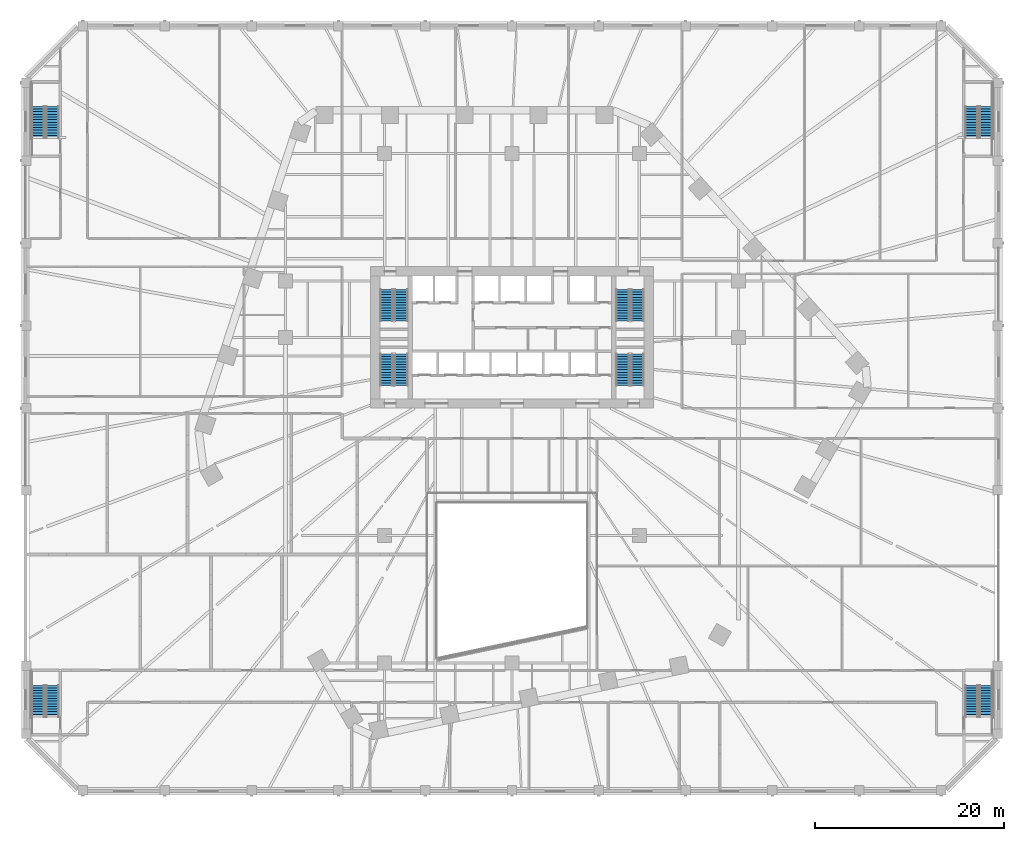
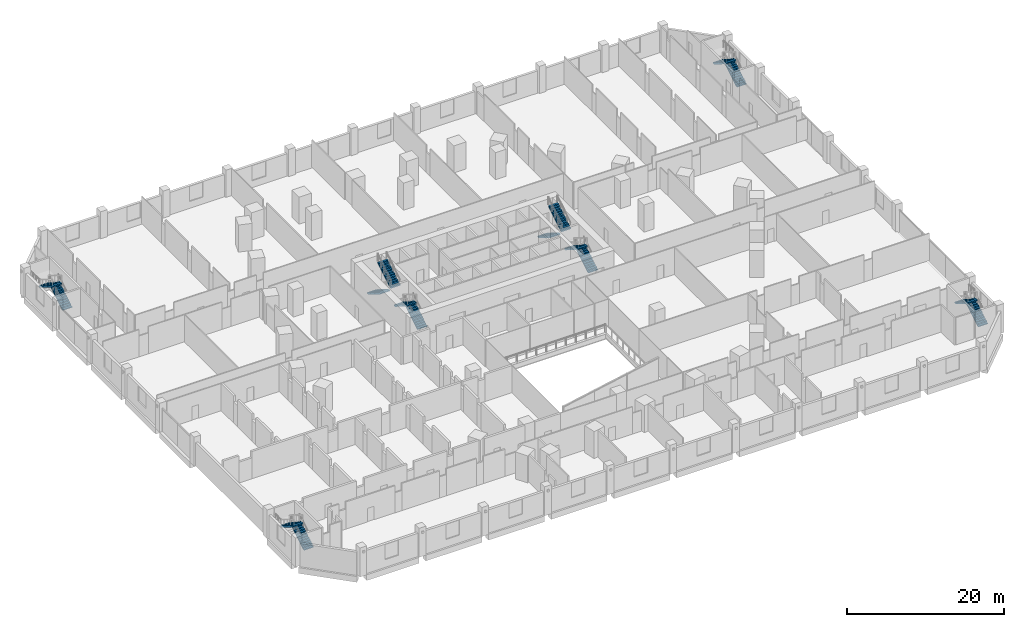
# One storey, part 23 of 33: 16 stair flights, 8 elements without a shape of their own.
"""IFC4 building model written with IfcOpenShell, lengths in metres."""

from ifc_helpers import new_model, si_unit, direction, frame, origin, place, context, subcontext, project, spatial, polyline, outline, extrude, material, type_object, element, aggregate, save


model = new_model("IFC4")

# Units and contexts
model_context = context("Model", 3, precision=1e-05, world=origin(), true_north=direction((0.0, 1.0)))
body_context = subcontext(model_context, "Body", "Model", "MODEL_VIEW")
ifc_project = project(units=[si_unit("LENGTHUNIT", "METRE"), si_unit("AREAUNIT", "SQUARE_METRE"), si_unit("VOLUMEUNIT", "CUBIC_METRE"), si_unit("PLANEANGLEUNIT", "RADIAN"), si_unit("MASSUNIT", "GRAM", prefix="KILO")], contexts=[model_context])

# Site, building, storey
site_placement = place(None, origin())
site = spatial("IfcSite", under=ifc_project, at=site_placement, CompositionType="ELEMENT")
building_placement = place(site_placement, origin())
building = spatial("IfcBuilding", under=site, at=building_placement, Name="Isthmus Gate Tower", CompositionType="ELEMENT")
storey_placement = place(building_placement, frame((0.0, 0.0, 22.5)))
storey = spatial("IfcBuildingStorey", under=building, at=storey_placement, Name="L03", CompositionType="ELEMENT", Elevation=22.5)

# Stair, stair flights
ifc_material_1 = material(Name="Concrete f'c 40 MPa", Category="concrete")
stair_type_1 = type_object("IfcStairType", Name="Podium exit stair 1400 wide flights", PredefinedType="HALF_TURN_STAIR", material=ifc_material_1)
stair_1_placement = place(storey_placement, origin())
stair_1 = element("IfcStair", 1, at=stair_1_placement, inside=storey, type_object=stair_type_1, Name="L03 Podium Exit Stair ST3", PredefinedType="HALF_TURN_STAIR")
ifc_material_2 = material(Name="Concrete f'c 40 MPa", Category="concrete")
stair_flight_type_1 = type_object("IfcStairFlightType", Name="Podium stair flight 1400", PredefinedType="STRAIGHT", material=ifc_material_2)
stair_flight_1_placement = place(storey_placement, frame((-48.699951171875, -32.72509765625, 0.0), z_axis=(0.0, 0.0, 1.0), x_axis=(0.0, 1.0, 0.0)))
stair_flight_1 = element("IfcStairFlight", 2, at=stair_flight_1_placement, type_object=stair_flight_type_1, Name="ST3 flight 1", NumberOfRisers=13, NumberOfTreads=12, PredefinedType="STRAIGHT", RiserHeight=0.173076923, TreadLength=0.28, context=body_context, shape_type="SweptSolid", body=[
    extrude(outline(polyline([(0.0, 0.0), (0.0, 0.173095703125), (0.280029296875, 0.173095703125), (0.280029296875, 0.34619140625), (0.56005859375, 0.34619140625), (0.56005859375, 0.519287109375), (0.840087890625, 0.519287109375), (0.840087890625, 0.6923828125), (1.1201171875, 0.6923828125), (1.1201171875, 0.865478515625), (1.39990234375, 0.865478515625), (1.39990234375, 1.03857421875), (1.679931640625, 1.03857421875), (1.679931640625, 1.21142578125), (1.9599609375, 1.21142578125), (1.9599609375, 1.384521484375), (2.239990234375, 1.384521484375), (2.239990234375, 1.5576171875), (2.52001953125, 1.5576171875), (2.52001953125, 1.730712890625), (2.800048828125, 1.730712890625), (2.800048828125, 1.90380859375), (3.080078125, 1.90380859375), (3.080078125, 2.076904296875), (3.360107421875, 2.076904296875), (3.360107421875, 2.25), (3.360107421875, 1.900634765625), (0.28515625, 0.0), (0.0, 0.0)])), frame((0.0, 0.699951171875, 0.0), z_axis=(0.0, -1.0, 0.0), x_axis=(1.0, 0.0, 0.0)), (0.0, 0.0, 1.0), 1.39990234375),
])
stair_flight_2_placement = place(storey_placement, frame((-50.25, -29.364990234375, 2.25), z_axis=(0.0, 0.0, 1.0), x_axis=(0.0, -1.0, 0.0)))
stair_flight_2 = element("IfcStairFlight", 3, at=stair_flight_2_placement, type_object=stair_flight_type_1, Name="ST3 flight 2", NumberOfRisers=13, NumberOfTreads=12, PredefinedType="STRAIGHT", RiserHeight=0.173076923, TreadLength=0.28, context=body_context, shape_type="SweptSolid", body=[
    extrude(outline(polyline([(0.0, 0.0), (0.0, 0.173095703125), (0.280029296875, 0.173095703125), (0.280029296875, 0.34619140625), (0.56005859375, 0.34619140625), (0.56005859375, 0.519287109375), (0.840087890625, 0.519287109375), (0.840087890625, 0.6923828125), (1.1201171875, 0.6923828125), (1.1201171875, 0.865478515625), (1.39990234375, 0.865478515625), (1.39990234375, 1.03857421875), (1.679931640625, 1.03857421875), (1.679931640625, 1.21142578125), (1.9599609375, 1.21142578125), (1.9599609375, 1.384521484375), (2.239990234375, 1.384521484375), (2.239990234375, 1.5576171875), (2.52001953125, 1.5576171875), (2.52001953125, 1.730712890625), (2.800048828125, 1.730712890625), (2.800048828125, 1.90380859375), (3.080078125, 1.90380859375), (3.080078125, 2.076904296875), (3.360107421875, 2.076904296875), (3.360107421875, 2.25), (3.360107421875, 1.900634765625), (0.28515625, 0.0), (0.0, 0.0)])), frame((0.0, 0.699951171875, 0.0), z_axis=(0.0, -1.0, 0.0), x_axis=(1.0, 0.0, 0.0)), (0.0, 0.0, 1.0), 1.39990234375),
])
aggregate(stair_1, [stair_flight_1, stair_flight_2])

stair_2_placement = place(storey_placement, origin())
stair_2 = element("IfcStair", 4, at=stair_2_placement, inside=storey, type_object=stair_type_1, Name="L03 Podium Exit Stair ST4", PredefinedType="HALF_TURN_STAIR")
stair_flight_3_placement = place(storey_placement, frame((50.25, -32.72509765625, 0.0), z_axis=(0.0, 0.0, 1.0), x_axis=(0.0, 1.0, 0.0)))
stair_flight_3 = element("IfcStairFlight", 5, at=stair_flight_3_placement, type_object=stair_flight_type_1, Name="ST4 flight 1", NumberOfRisers=13, NumberOfTreads=12, PredefinedType="STRAIGHT", RiserHeight=0.173076923, TreadLength=0.28, context=body_context, shape_type="SweptSolid", body=[
    extrude(outline(polyline([(0.0, 0.0), (0.0, 0.173095703125), (0.280029296875, 0.173095703125), (0.280029296875, 0.34619140625), (0.56005859375, 0.34619140625), (0.56005859375, 0.519287109375), (0.840087890625, 0.519287109375), (0.840087890625, 0.6923828125), (1.1201171875, 0.6923828125), (1.1201171875, 0.865478515625), (1.39990234375, 0.865478515625), (1.39990234375, 1.03857421875), (1.679931640625, 1.03857421875), (1.679931640625, 1.21142578125), (1.9599609375, 1.21142578125), (1.9599609375, 1.384521484375), (2.239990234375, 1.384521484375), (2.239990234375, 1.5576171875), (2.52001953125, 1.5576171875), (2.52001953125, 1.730712890625), (2.800048828125, 1.730712890625), (2.800048828125, 1.90380859375), (3.080078125, 1.90380859375), (3.080078125, 2.076904296875), (3.360107421875, 2.076904296875), (3.360107421875, 2.25), (3.360107421875, 1.900634765625), (0.28515625, 0.0), (0.0, 0.0)])), frame((0.0, 0.699951171875, 0.0), z_axis=(0.0, -1.0, 0.0), x_axis=(1.0, 0.0, 0.0)), (0.0, 0.0, 1.0), 1.39990234375),
])
stair_flight_4_placement = place(storey_placement, frame((48.699951171875, -29.364990234375, 2.25), z_axis=(0.0, 0.0, 1.0), x_axis=(0.0, -1.0, 0.0)))
stair_flight_4 = element("IfcStairFlight", 6, at=stair_flight_4_placement, type_object=stair_flight_type_1, Name="ST4 flight 2", NumberOfRisers=13, NumberOfTreads=12, PredefinedType="STRAIGHT", RiserHeight=0.173076923, TreadLength=0.28, context=body_context, shape_type="SweptSolid", body=[
    extrude(outline(polyline([(0.0, 0.0), (0.0, 0.173095703125), (0.280029296875, 0.173095703125), (0.280029296875, 0.34619140625), (0.56005859375, 0.34619140625), (0.56005859375, 0.519287109375), (0.840087890625, 0.519287109375), (0.840087890625, 0.6923828125), (1.1201171875, 0.6923828125), (1.1201171875, 0.865478515625), (1.39990234375, 0.865478515625), (1.39990234375, 1.03857421875), (1.679931640625, 1.03857421875), (1.679931640625, 1.21142578125), (1.9599609375, 1.21142578125), (1.9599609375, 1.384521484375), (2.239990234375, 1.384521484375), (2.239990234375, 1.5576171875), (2.52001953125, 1.5576171875), (2.52001953125, 1.730712890625), (2.800048828125, 1.730712890625), (2.800048828125, 1.90380859375), (3.080078125, 1.90380859375), (3.080078125, 2.076904296875), (3.360107421875, 2.076904296875), (3.360107421875, 2.25), (3.360107421875, 1.900634765625), (0.28515625, 0.0), (0.0, 0.0)])), frame((0.0, 0.699951171875, 0.0), z_axis=(0.0, -1.0, 0.0), x_axis=(1.0, 0.0, 0.0)), (0.0, 0.0, 1.0), 1.39990234375),
])
aggregate(stair_2, [stair_flight_3, stair_flight_4])

stair_3_placement = place(storey_placement, origin())
stair_3 = element("IfcStair", 7, at=stair_3_placement, inside=storey, type_object=stair_type_1, Name="L03 Podium Exit Stair ST5", PredefinedType="HALF_TURN_STAIR")
stair_flight_5_placement = place(storey_placement, frame((50.25, 28.625, 0.0), z_axis=(0.0, 0.0, 1.0), x_axis=(0.0, 1.0, 0.0)))
stair_flight_5 = element("IfcStairFlight", 8, at=stair_flight_5_placement, type_object=stair_flight_type_1, Name="ST5 flight 1", NumberOfRisers=13, NumberOfTreads=12, PredefinedType="STRAIGHT", RiserHeight=0.173076923, TreadLength=0.28, context=body_context, shape_type="SweptSolid", body=[
    extrude(outline(polyline([(0.0, 0.0), (0.0, 0.173095703125), (0.280029296875, 0.173095703125), (0.280029296875, 0.34619140625), (0.56005859375, 0.34619140625), (0.56005859375, 0.519287109375), (0.840087890625, 0.519287109375), (0.840087890625, 0.6923828125), (1.1201171875, 0.6923828125), (1.1201171875, 0.865478515625), (1.39990234375, 0.865478515625), (1.39990234375, 1.03857421875), (1.679931640625, 1.03857421875), (1.679931640625, 1.21142578125), (1.9599609375, 1.21142578125), (1.9599609375, 1.384521484375), (2.239990234375, 1.384521484375), (2.239990234375, 1.5576171875), (2.52001953125, 1.5576171875), (2.52001953125, 1.730712890625), (2.800048828125, 1.730712890625), (2.800048828125, 1.90380859375), (3.080078125, 1.90380859375), (3.080078125, 2.076904296875), (3.360107421875, 2.076904296875), (3.360107421875, 2.25), (3.360107421875, 1.900634765625), (0.28515625, 0.0), (0.0, 0.0)])), frame((0.0, 0.699951171875, 0.0), z_axis=(0.0, -1.0, 0.0), x_axis=(1.0, 0.0, 0.0)), (0.0, 0.0, 1.0), 1.39990234375),
])
stair_flight_6_placement = place(storey_placement, frame((48.699951171875, 31.985107421875, 2.25), z_axis=(0.0, 0.0, 1.0), x_axis=(0.0, -1.0, 0.0)))
stair_flight_6 = element("IfcStairFlight", 9, at=stair_flight_6_placement, type_object=stair_flight_type_1, Name="ST5 flight 2", NumberOfRisers=13, NumberOfTreads=12, PredefinedType="STRAIGHT", RiserHeight=0.173076923, TreadLength=0.28, context=body_context, shape_type="SweptSolid", body=[
    extrude(outline(polyline([(0.0, 0.0), (0.0, 0.173095703125), (0.280029296875, 0.173095703125), (0.280029296875, 0.34619140625), (0.56005859375, 0.34619140625), (0.56005859375, 0.519287109375), (0.840087890625, 0.519287109375), (0.840087890625, 0.6923828125), (1.1201171875, 0.6923828125), (1.1201171875, 0.865478515625), (1.39990234375, 0.865478515625), (1.39990234375, 1.03857421875), (1.679931640625, 1.03857421875), (1.679931640625, 1.21142578125), (1.9599609375, 1.21142578125), (1.9599609375, 1.384521484375), (2.239990234375, 1.384521484375), (2.239990234375, 1.5576171875), (2.52001953125, 1.5576171875), (2.52001953125, 1.730712890625), (2.800048828125, 1.730712890625), (2.800048828125, 1.90380859375), (3.080078125, 1.90380859375), (3.080078125, 2.076904296875), (3.360107421875, 2.076904296875), (3.360107421875, 2.25), (3.360107421875, 1.900634765625), (0.28515625, 0.0), (0.0, 0.0)])), frame((0.0, 0.699951171875, 0.0), z_axis=(0.0, -1.0, 0.0), x_axis=(1.0, 0.0, 0.0)), (0.0, 0.0, 1.0), 1.39990234375),
])
aggregate(stair_3, [stair_flight_5, stair_flight_6])

stair_4_placement = place(storey_placement, origin())
stair_4 = element("IfcStair", 10, at=stair_4_placement, inside=storey, type_object=stair_type_1, Name="L03 Podium Exit Stair ST6", PredefinedType="HALF_TURN_STAIR")
stair_flight_7_placement = place(storey_placement, frame((-48.699951171875, 28.625, 0.0), z_axis=(0.0, 0.0, 1.0), x_axis=(0.0, 1.0, 0.0)))
stair_flight_7 = element("IfcStairFlight", 11, at=stair_flight_7_placement, type_object=stair_flight_type_1, Name="ST6 flight 1", NumberOfRisers=13, NumberOfTreads=12, PredefinedType="STRAIGHT", RiserHeight=0.173076923, TreadLength=0.28, context=body_context, shape_type="SweptSolid", body=[
    extrude(outline(polyline([(0.0, 0.0), (0.0, 0.173095703125), (0.280029296875, 0.173095703125), (0.280029296875, 0.34619140625), (0.56005859375, 0.34619140625), (0.56005859375, 0.519287109375), (0.840087890625, 0.519287109375), (0.840087890625, 0.6923828125), (1.1201171875, 0.6923828125), (1.1201171875, 0.865478515625), (1.39990234375, 0.865478515625), (1.39990234375, 1.03857421875), (1.679931640625, 1.03857421875), (1.679931640625, 1.21142578125), (1.9599609375, 1.21142578125), (1.9599609375, 1.384521484375), (2.239990234375, 1.384521484375), (2.239990234375, 1.5576171875), (2.52001953125, 1.5576171875), (2.52001953125, 1.730712890625), (2.800048828125, 1.730712890625), (2.800048828125, 1.90380859375), (3.080078125, 1.90380859375), (3.080078125, 2.076904296875), (3.360107421875, 2.076904296875), (3.360107421875, 2.25), (3.360107421875, 1.900634765625), (0.28515625, 0.0), (0.0, 0.0)])), frame((0.0, 0.699951171875, 0.0), z_axis=(0.0, -1.0, 0.0), x_axis=(1.0, 0.0, 0.0)), (0.0, 0.0, 1.0), 1.39990234375),
])
stair_flight_8_placement = place(storey_placement, frame((-50.25, 31.985107421875, 2.25), z_axis=(0.0, 0.0, 1.0), x_axis=(0.0, -1.0, 0.0)))
stair_flight_8 = element("IfcStairFlight", 12, at=stair_flight_8_placement, type_object=stair_flight_type_1, Name="ST6 flight 2", NumberOfRisers=13, NumberOfTreads=12, PredefinedType="STRAIGHT", RiserHeight=0.173076923, TreadLength=0.28, context=body_context, shape_type="SweptSolid", body=[
    extrude(outline(polyline([(0.0, 0.0), (0.0, 0.173095703125), (0.280029296875, 0.173095703125), (0.280029296875, 0.34619140625), (0.56005859375, 0.34619140625), (0.56005859375, 0.519287109375), (0.840087890625, 0.519287109375), (0.840087890625, 0.6923828125), (1.1201171875, 0.6923828125), (1.1201171875, 0.865478515625), (1.39990234375, 0.865478515625), (1.39990234375, 1.03857421875), (1.679931640625, 1.03857421875), (1.679931640625, 1.21142578125), (1.9599609375, 1.21142578125), (1.9599609375, 1.384521484375), (2.239990234375, 1.384521484375), (2.239990234375, 1.5576171875), (2.52001953125, 1.5576171875), (2.52001953125, 1.730712890625), (2.800048828125, 1.730712890625), (2.800048828125, 1.90380859375), (3.080078125, 1.90380859375), (3.080078125, 2.076904296875), (3.360107421875, 2.076904296875), (3.360107421875, 2.25), (3.360107421875, 1.900634765625), (0.28515625, 0.0), (0.0, 0.0)])), frame((0.0, 0.699951171875, 0.0), z_axis=(0.0, -1.0, 0.0), x_axis=(1.0, 0.0, 0.0)), (0.0, 0.0, 1.0), 1.39990234375),
])
aggregate(stair_4, [stair_flight_7, stair_flight_8])

ifc_material_3 = material(Name="Concrete f'c 40 MPa", Category="concrete")
stair_type_2 = type_object("IfcStairType", Name="CORE STAIR 26 RISERS", PredefinedType="HALF_TURN_STAIR", material=ifc_material_3)
stair_5_placement = place(storey_placement, origin())
stair_5 = element("IfcStair", 13, at=stair_5_placement, inside=storey, type_object=stair_type_2, Name="L03 Exit Stair 1", PredefinedType="HALF_TURN_STAIR")
ifc_material_4 = material(Name="Concrete f'c 40 MPa", Category="concrete")
stair_flight_type_2 = type_object("IfcStairFlightType", Name="STAIR FLIGHT RC 1400", PredefinedType="STRAIGHT", material=ifc_material_4)
stair_flight_9_placement = place(storey_placement, frame((-13.300048828125, 12.60009765625, 0.0), z_axis=(0.0, 0.0, 1.0), x_axis=(0.0, -1.0, 0.0)))
stair_flight_9 = element("IfcStairFlight", 14, at=stair_flight_9_placement, type_object=stair_flight_type_2, Name="ST1 flight 1", NumberOfRisers=13, NumberOfTreads=12, PredefinedType="STRAIGHT", RiserHeight=0.173076923, TreadLength=0.28, context=body_context, shape_type="SweptSolid", body=[
    extrude(outline(polyline([(0.0, 0.0), (0.0, 0.173095703125), (0.280029296875, 0.173095703125), (0.280029296875, 0.34619140625), (0.56005859375, 0.34619140625), (0.56005859375, 0.519287109375), (0.840087890625, 0.519287109375), (0.840087890625, 0.6923828125), (1.1201171875, 0.6923828125), (1.1201171875, 0.865478515625), (1.39990234375, 0.865478515625), (1.39990234375, 1.03857421875), (1.679931640625, 1.03857421875), (1.679931640625, 1.21142578125), (1.9599609375, 1.21142578125), (1.9599609375, 1.384521484375), (2.239990234375, 1.384521484375), (2.239990234375, 1.5576171875), (2.52001953125, 1.5576171875), (2.52001953125, 1.730712890625), (2.800048828125, 1.730712890625), (2.800048828125, 1.90380859375), (3.080078125, 1.90380859375), (3.080078125, 2.076904296875), (3.360107421875, 2.076904296875), (3.360107421875, 2.25), (3.360107421875, 1.900634765625), (0.28515625, 0.0), (0.0, 0.0)])), frame((0.0, 0.699951171875, 0.0), z_axis=(0.0, -1.0, 0.0), x_axis=(1.0, 0.0, 0.0)), (0.0, 0.0, 1.0), 1.39990234375),
])
stair_flight_10_placement = place(storey_placement, frame((-11.75, 9.239990234375, 2.25), z_axis=(0.0, 0.0, 1.0), x_axis=(0.0, 1.0, 0.0)))
stair_flight_10 = element("IfcStairFlight", 15, at=stair_flight_10_placement, type_object=stair_flight_type_2, Name="ST1 flight 2", NumberOfRisers=13, NumberOfTreads=12, PredefinedType="STRAIGHT", RiserHeight=0.173076923, TreadLength=0.28, context=body_context, shape_type="SweptSolid", body=[
    extrude(outline(polyline([(0.0, 0.0), (0.0, 0.173095703125), (0.280029296875, 0.173095703125), (0.280029296875, 0.34619140625), (0.56005859375, 0.34619140625), (0.56005859375, 0.519287109375), (0.840087890625, 0.519287109375), (0.840087890625, 0.6923828125), (1.1201171875, 0.6923828125), (1.1201171875, 0.865478515625), (1.39990234375, 0.865478515625), (1.39990234375, 1.03857421875), (1.679931640625, 1.03857421875), (1.679931640625, 1.21142578125), (1.9599609375, 1.21142578125), (1.9599609375, 1.384521484375), (2.239990234375, 1.384521484375), (2.239990234375, 1.5576171875), (2.52001953125, 1.5576171875), (2.52001953125, 1.730712890625), (2.800048828125, 1.730712890625), (2.800048828125, 1.90380859375), (3.080078125, 1.90380859375), (3.080078125, 2.076904296875), (3.360107421875, 2.076904296875), (3.360107421875, 2.25), (3.360107421875, 1.900634765625), (0.28515625, 0.0), (0.0, 0.0)])), frame((0.0, 0.699951171875, 0.0), z_axis=(0.0, -1.0, 0.0), x_axis=(1.0, 0.0, 0.0)), (0.0, 0.0, 1.0), 1.39990234375),
])
aggregate(stair_5, [stair_flight_9, stair_flight_10])

stair_6_placement = place(storey_placement, origin())
stair_6 = element("IfcStair", 16, at=stair_6_placement, inside=storey, type_object=stair_type_2, Name="L03 Exit Stair 2", PredefinedType="HALF_TURN_STAIR")
stair_flight_11_placement = place(storey_placement, frame((11.75, 12.60009765625, 0.0), z_axis=(0.0, 0.0, 1.0), x_axis=(0.0, -1.0, 0.0)))
stair_flight_11 = element("IfcStairFlight", 17, at=stair_flight_11_placement, type_object=stair_flight_type_2, Name="ST2 flight 1", NumberOfRisers=13, NumberOfTreads=12, PredefinedType="STRAIGHT", RiserHeight=0.173076923, TreadLength=0.28, context=body_context, shape_type="SweptSolid", body=[
    extrude(outline(polyline([(0.0, 0.0), (0.0, 0.173095703125), (0.280029296875, 0.173095703125), (0.280029296875, 0.34619140625), (0.56005859375, 0.34619140625), (0.56005859375, 0.519287109375), (0.840087890625, 0.519287109375), (0.840087890625, 0.6923828125), (1.1201171875, 0.6923828125), (1.1201171875, 0.865478515625), (1.39990234375, 0.865478515625), (1.39990234375, 1.03857421875), (1.679931640625, 1.03857421875), (1.679931640625, 1.21142578125), (1.9599609375, 1.21142578125), (1.9599609375, 1.384521484375), (2.239990234375, 1.384521484375), (2.239990234375, 1.5576171875), (2.52001953125, 1.5576171875), (2.52001953125, 1.730712890625), (2.800048828125, 1.730712890625), (2.800048828125, 1.90380859375), (3.080078125, 1.90380859375), (3.080078125, 2.076904296875), (3.360107421875, 2.076904296875), (3.360107421875, 2.25), (3.360107421875, 1.900634765625), (0.28515625, 0.0), (0.0, 0.0)])), frame((0.0, 0.699951171875, 0.0), z_axis=(0.0, -1.0, 0.0), x_axis=(1.0, 0.0, 0.0)), (0.0, 0.0, 1.0), 1.39990234375),
])
stair_flight_12_placement = place(storey_placement, frame((13.300048828125, 9.239990234375, 2.25), z_axis=(0.0, 0.0, 1.0), x_axis=(0.0, 1.0, 0.0)))
stair_flight_12 = element("IfcStairFlight", 18, at=stair_flight_12_placement, type_object=stair_flight_type_2, Name="ST2 flight 2", NumberOfRisers=13, NumberOfTreads=12, PredefinedType="STRAIGHT", RiserHeight=0.173076923, TreadLength=0.28, context=body_context, shape_type="SweptSolid", body=[
    extrude(outline(polyline([(0.0, 0.0), (0.0, 0.173095703125), (0.280029296875, 0.173095703125), (0.280029296875, 0.34619140625), (0.56005859375, 0.34619140625), (0.56005859375, 0.519287109375), (0.840087890625, 0.519287109375), (0.840087890625, 0.6923828125), (1.1201171875, 0.6923828125), (1.1201171875, 0.865478515625), (1.39990234375, 0.865478515625), (1.39990234375, 1.03857421875), (1.679931640625, 1.03857421875), (1.679931640625, 1.21142578125), (1.9599609375, 1.21142578125), (1.9599609375, 1.384521484375), (2.239990234375, 1.384521484375), (2.239990234375, 1.5576171875), (2.52001953125, 1.5576171875), (2.52001953125, 1.730712890625), (2.800048828125, 1.730712890625), (2.800048828125, 1.90380859375), (3.080078125, 1.90380859375), (3.080078125, 2.076904296875), (3.360107421875, 2.076904296875), (3.360107421875, 2.25), (3.360107421875, 1.900634765625), (0.28515625, 0.0), (0.0, 0.0)])), frame((0.0, 0.699951171875, 0.0), z_axis=(0.0, -1.0, 0.0), x_axis=(1.0, 0.0, 0.0)), (0.0, 0.0, 1.0), 1.39990234375),
])
aggregate(stair_6, [stair_flight_11, stair_flight_12])

stair_7_placement = place(storey_placement, origin())
stair_7 = element("IfcStair", 19, at=stair_7_placement, inside=storey, type_object=stair_type_2, Name="L03 Exit Stair 7", PredefinedType="HALF_TURN_STAIR")
stair_flight_13_placement = place(storey_placement, frame((-11.75, 2.39990234375, 0.0), z_axis=(0.0, 0.0, 1.0), x_axis=(0.0, 1.0, 0.0)))
stair_flight_13 = element("IfcStairFlight", 20, at=stair_flight_13_placement, type_object=stair_flight_type_2, Name="ST7 flight 1", NumberOfRisers=13, NumberOfTreads=12, PredefinedType="STRAIGHT", RiserHeight=0.173076923, TreadLength=0.28, context=body_context, shape_type="SweptSolid", body=[
    extrude(outline(polyline([(0.0, 0.0), (0.0, 0.173095703125), (0.280029296875, 0.173095703125), (0.280029296875, 0.34619140625), (0.56005859375, 0.34619140625), (0.56005859375, 0.519287109375), (0.840087890625, 0.519287109375), (0.840087890625, 0.6923828125), (1.1201171875, 0.6923828125), (1.1201171875, 0.865478515625), (1.39990234375, 0.865478515625), (1.39990234375, 1.03857421875), (1.679931640625, 1.03857421875), (1.679931640625, 1.21142578125), (1.9599609375, 1.21142578125), (1.9599609375, 1.384521484375), (2.239990234375, 1.384521484375), (2.239990234375, 1.5576171875), (2.52001953125, 1.5576171875), (2.52001953125, 1.730712890625), (2.800048828125, 1.730712890625), (2.800048828125, 1.90380859375), (3.080078125, 1.90380859375), (3.080078125, 2.076904296875), (3.360107421875, 2.076904296875), (3.360107421875, 2.25), (3.360107421875, 1.900634765625), (0.28515625, 0.0), (0.0, 0.0)])), frame((0.0, 0.699951171875, 0.0), z_axis=(0.0, -1.0, 0.0), x_axis=(1.0, 0.0, 0.0)), (0.0, 0.0, 1.0), 1.39990234375),
])
stair_flight_14_placement = place(storey_placement, frame((-13.300048828125, 5.760009765625, 2.25), z_axis=(0.0, 0.0, 1.0), x_axis=(0.0, -1.0, 0.0)))
stair_flight_14 = element("IfcStairFlight", 21, at=stair_flight_14_placement, type_object=stair_flight_type_2, Name="ST7 flight 2", NumberOfRisers=13, NumberOfTreads=12, PredefinedType="STRAIGHT", RiserHeight=0.173076923, TreadLength=0.28, context=body_context, shape_type="SweptSolid", body=[
    extrude(outline(polyline([(0.0, 0.0), (0.0, 0.173095703125), (0.280029296875, 0.173095703125), (0.280029296875, 0.34619140625), (0.56005859375, 0.34619140625), (0.56005859375, 0.519287109375), (0.840087890625, 0.519287109375), (0.840087890625, 0.6923828125), (1.1201171875, 0.6923828125), (1.1201171875, 0.865478515625), (1.39990234375, 0.865478515625), (1.39990234375, 1.03857421875), (1.679931640625, 1.03857421875), (1.679931640625, 1.21142578125), (1.9599609375, 1.21142578125), (1.9599609375, 1.384521484375), (2.239990234375, 1.384521484375), (2.239990234375, 1.5576171875), (2.52001953125, 1.5576171875), (2.52001953125, 1.730712890625), (2.800048828125, 1.730712890625), (2.800048828125, 1.90380859375), (3.080078125, 1.90380859375), (3.080078125, 2.076904296875), (3.360107421875, 2.076904296875), (3.360107421875, 2.25), (3.360107421875, 1.900634765625), (0.28515625, 0.0), (0.0, 0.0)])), frame((0.0, 0.699951171875, 0.0), z_axis=(0.0, -1.0, 0.0), x_axis=(1.0, 0.0, 0.0)), (0.0, 0.0, 1.0), 1.39990234375),
])
aggregate(stair_7, [stair_flight_13, stair_flight_14])

stair_8_placement = place(storey_placement, origin())
stair_8 = element("IfcStair", 22, at=stair_8_placement, inside=storey, type_object=stair_type_2, Name="L03 Exit Stair 8", PredefinedType="HALF_TURN_STAIR")
stair_flight_15_placement = place(storey_placement, frame((13.300048828125, 2.39990234375, 0.0), z_axis=(0.0, 0.0, 1.0), x_axis=(0.0, 1.0, 0.0)))
stair_flight_15 = element("IfcStairFlight", 23, at=stair_flight_15_placement, type_object=stair_flight_type_2, Name="ST8 flight 1", NumberOfRisers=13, NumberOfTreads=12, PredefinedType="STRAIGHT", RiserHeight=0.173076923, TreadLength=0.28, context=body_context, shape_type="SweptSolid", body=[
    extrude(outline(polyline([(0.0, 0.0), (0.0, 0.173095703125), (0.280029296875, 0.173095703125), (0.280029296875, 0.34619140625), (0.56005859375, 0.34619140625), (0.56005859375, 0.519287109375), (0.840087890625, 0.519287109375), (0.840087890625, 0.6923828125), (1.1201171875, 0.6923828125), (1.1201171875, 0.865478515625), (1.39990234375, 0.865478515625), (1.39990234375, 1.03857421875), (1.679931640625, 1.03857421875), (1.679931640625, 1.21142578125), (1.9599609375, 1.21142578125), (1.9599609375, 1.384521484375), (2.239990234375, 1.384521484375), (2.239990234375, 1.5576171875), (2.52001953125, 1.5576171875), (2.52001953125, 1.730712890625), (2.800048828125, 1.730712890625), (2.800048828125, 1.90380859375), (3.080078125, 1.90380859375), (3.080078125, 2.076904296875), (3.360107421875, 2.076904296875), (3.360107421875, 2.25), (3.360107421875, 1.900634765625), (0.28515625, 0.0), (0.0, 0.0)])), frame((0.0, 0.699951171875, 0.0), z_axis=(0.0, -1.0, 0.0), x_axis=(1.0, 0.0, 0.0)), (0.0, 0.0, 1.0), 1.39990234375),
])
stair_flight_16_placement = place(storey_placement, frame((11.75, 5.760009765625, 2.25), z_axis=(0.0, 0.0, 1.0), x_axis=(0.0, -1.0, 0.0)))
stair_flight_16 = element("IfcStairFlight", 24, at=stair_flight_16_placement, type_object=stair_flight_type_2, Name="ST8 flight 2", NumberOfRisers=13, NumberOfTreads=12, PredefinedType="STRAIGHT", RiserHeight=0.173076923, TreadLength=0.28, context=body_context, shape_type="SweptSolid", body=[
    extrude(outline(polyline([(0.0, 0.0), (0.0, 0.173095703125), (0.280029296875, 0.173095703125), (0.280029296875, 0.34619140625), (0.56005859375, 0.34619140625), (0.56005859375, 0.519287109375), (0.840087890625, 0.519287109375), (0.840087890625, 0.6923828125), (1.1201171875, 0.6923828125), (1.1201171875, 0.865478515625), (1.39990234375, 0.865478515625), (1.39990234375, 1.03857421875), (1.679931640625, 1.03857421875), (1.679931640625, 1.21142578125), (1.9599609375, 1.21142578125), (1.9599609375, 1.384521484375), (2.239990234375, 1.384521484375), (2.239990234375, 1.5576171875), (2.52001953125, 1.5576171875), (2.52001953125, 1.730712890625), (2.800048828125, 1.730712890625), (2.800048828125, 1.90380859375), (3.080078125, 1.90380859375), (3.080078125, 2.076904296875), (3.360107421875, 2.076904296875), (3.360107421875, 2.25), (3.360107421875, 1.900634765625), (0.28515625, 0.0), (0.0, 0.0)])), frame((0.0, 0.699951171875, 0.0), z_axis=(0.0, -1.0, 0.0), x_axis=(1.0, 0.0, 0.0)), (0.0, 0.0, 1.0), 1.39990234375),
])
aggregate(stair_8, [stair_flight_15, stair_flight_16])

save(model, "model.ifc")
